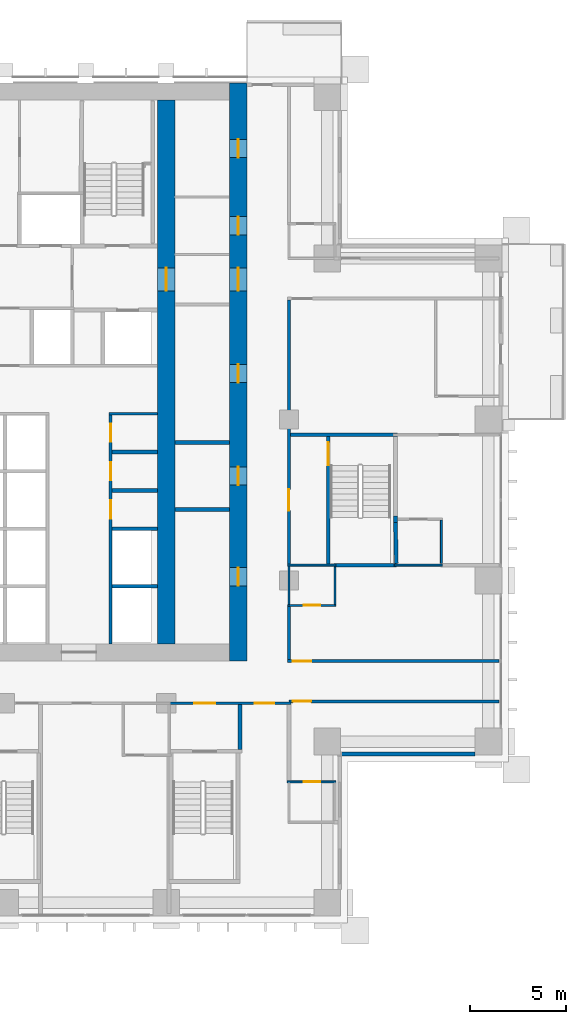
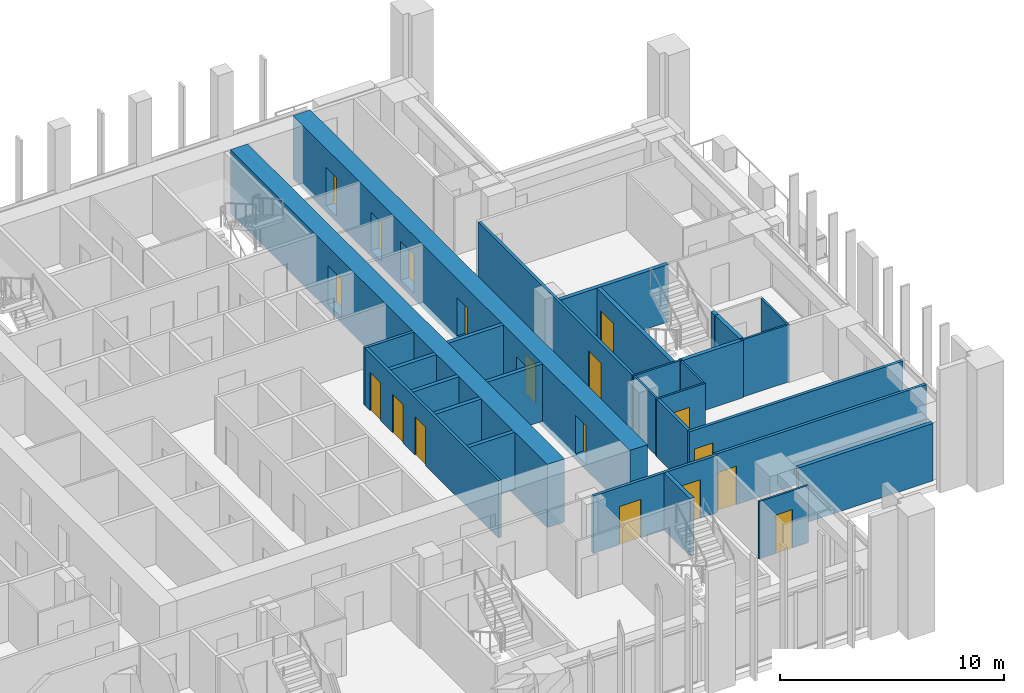
# One storey, part 9 of 17: 29 walls, 18 doors, 18 openings.
"""IFC4 building model written with IfcOpenShell, lengths in metres."""

from ifc_helpers import new_model, si_unit, direction, frame, frame_2d, origin, place, context, subcontext, project, spatial, rectangle, extrude, material, layer, layer_set, type_object, element, fill, save


model = new_model("IFC4")

# Units and contexts
model_context = context("Model", 3, precision=1e-05, world=origin(), true_north=direction((0.0, 1.0)))
body_context = subcontext(model_context, "Body", "Model", "MODEL_VIEW")
ifc_project = project(units=[si_unit("LENGTHUNIT", "METRE"), si_unit("AREAUNIT", "SQUARE_METRE"), si_unit("VOLUMEUNIT", "CUBIC_METRE"), si_unit("PLANEANGLEUNIT", "RADIAN"), si_unit("MASSUNIT", "GRAM", prefix="KILO")], contexts=[model_context])

# Site, building, storey
site_placement = place(None, origin())
site = spatial("IfcSite", under=ifc_project, at=site_placement, CompositionType="ELEMENT")
building_placement = place(site_placement, origin())
building = spatial("IfcBuilding", under=site, at=building_placement, Name="Vermilion Ogive Tower", CompositionType="ELEMENT")
storey_placement = place(building_placement, frame((0.0, 0.0, 69.0)))
storey = spatial("IfcBuildingStorey", under=building, at=storey_placement, Name="L16", CompositionType="ELEMENT", Elevation=69.0)

# Wall, openings, doors
ifc_material_1 = material(Name="Concrete B80", Category="concrete")
ifc_layer_1 = layer(ifc_material_1, 0.89990234375)
ifc_layer_set_1 = layer_set([ifc_layer_1], Name="Core wall 900 B80")
wall_type_1 = type_object("IfcWallType", Name="Core wall 900 B80", PredefinedType="SHEAR", material=ifc_layer_set_1)
wall_1_placement = place(storey_placement, frame((12.14990234375, -8.39990234375, -0.320068359375), z_axis=(0.0, 0.0, 1.0), x_axis=(0.0, 1.0, 0.0)))
wall_1 = element("IfcWall", 1, at=wall_1_placement, inside=storey, type_object=wall_type_1, Name="L16-CORE-E", PredefinedType="SHEAR", context=body_context, shape_type="SweptSolid", body=[
    extrude(rectangle(XDim=30.14990234375, YDim=0.89990234375, at=frame_2d((15.074951171875, 0.0))), origin(), (0.0, 0.0, 1.0), 3.449951171875),
])
opening_1_placement = place(wall_1_placement, frame((3.925048828125, 0.0, 0.320068359375)))
opening_1 = element("IfcOpeningElement", 2, at=opening_1_placement, cuts=wall_1, Name="Opening DAC029", PredefinedType="OPENING", context=body_context, shape_type="SweptSolid", body=[
    extrude(rectangle(XDim=0.949951171875, YDim=2.10009765625, at=frame_2d((0.47509765625, 1.050048828125))), frame((0.0, 0.4599609375, 0.0), z_axis=(0.0, -1.0, 0.0), x_axis=(1.0, 0.0, 0.0)), (0.0, 0.0, 1.0), 0.919921875),
])
opening_2_placement = place(wall_1_placement, frame((9.175048828125, 0.0, 0.320068359375)))
opening_2 = element("IfcOpeningElement", 3, at=opening_2_placement, cuts=wall_1, Name="Opening DAC030", PredefinedType="OPENING", context=body_context, shape_type="SweptSolid", body=[
    extrude(rectangle(XDim=0.949951171875, YDim=2.10009765625, at=frame_2d((0.47509765625, 1.050048828125))), frame((0.0, 0.4599609375, 0.0), z_axis=(0.0, -1.0, 0.0), x_axis=(1.0, 0.0, 0.0)), (0.0, 0.0, 1.0), 0.919921875),
])
opening_3_placement = place(wall_1_placement, frame((14.52490234375, 0.0, 0.320068359375)))
opening_3 = element("IfcOpeningElement", 4, at=opening_3_placement, cuts=wall_1, Name="Opening DAC031", PredefinedType="OPENING", context=body_context, shape_type="SweptSolid", body=[
    extrude(rectangle(XDim=0.949951171875, YDim=2.10009765625, at=frame_2d((0.47509765625, 1.050048828125))), frame((0.0, 0.4599609375, 0.0), z_axis=(0.0, -1.0, 0.0), x_axis=(1.0, 0.0, 0.0)), (0.0, 0.0, 1.0), 0.919921875),
])
opening_4_placement = place(wall_1_placement, frame((22.22509765625, 0.0, 0.320068359375)))
opening_4 = element("IfcOpeningElement", 5, at=opening_4_placement, cuts=wall_1, Name="Opening DAC032", PredefinedType="OPENING", context=body_context, shape_type="SweptSolid", body=[
    extrude(rectangle(XDim=0.949951171875, YDim=2.10009765625, at=frame_2d((0.47509765625, 1.050048828125))), frame((0.0, 0.4599609375, 0.0), z_axis=(0.0, -1.0, 0.0), x_axis=(1.0, 0.0, 0.0)), (0.0, 0.0, 1.0), 0.919921875),
])
opening_5_placement = place(wall_1_placement, frame((26.25, 0.0, 0.320068359375)))
opening_5 = element("IfcOpeningElement", 6, at=opening_5_placement, cuts=wall_1, Name="Opening DAC033", PredefinedType="OPENING", context=body_context, shape_type="SweptSolid", body=[
    extrude(rectangle(XDim=0.949951171875, YDim=2.10009765625, at=frame_2d((0.47509765625, 1.050048828125))), frame((0.0, 0.4599609375, 0.0), z_axis=(0.0, -1.0, 0.0), x_axis=(1.0, 0.0, 0.0)), (0.0, 0.0, 1.0), 0.919921875),
])
opening_6_placement = place(wall_1_placement, frame((19.300048828125, 0.0, 0.320068359375)))
opening_6 = element("IfcOpeningElement", 7, at=opening_6_placement, cuts=wall_1, Name="Opening DAL006", PredefinedType="OPENING", context=body_context, shape_type="SweptSolid", body=[
    extrude(rectangle(XDim=1.199951171875, YDim=2.10009765625, at=frame_2d((0.60009765625, 1.050048828125))), frame((0.0, 0.4599609375, 0.0), z_axis=(0.0, -1.0, 0.0), x_axis=(1.0, 0.0, 0.0)), (0.0, 0.0, 1.0), 0.919921875),
])
ifc_material_2 = material(Name="Timber door leaf", Category="wood")
door_type_1 = type_object("IfcDoorType", Name="Link door 1200 x 2100 FD60S", OperationType="SINGLE_SWING_LEFT", PredefinedType="DOOR", material=ifc_material_2)
door_1_placement = place(opening_6_placement, origin())
door_1 = element("IfcDoor", 8, at=door_1_placement, inside=storey, type_object=door_type_1, Name="L16-CKE-XL", OperationType="SINGLE_SWING_LEFT", OverallHeight=2.10009765625, OverallWidth=1.199951171875, PredefinedType="DOOR", context=body_context, shape_type="SweptSolid", body=[
    extrude(rectangle(XDim=1.199951171875, YDim=2.10009765625, at=frame_2d((0.60009765625, 1.050048828125))), frame((0.0, 0.02490234375, 0.0), z_axis=(0.0, -1.0, 0.0), x_axis=(1.0, 0.0, 0.0)), (0.0, 0.0, 1.0), 0.050048828125),
])
fill(opening_6, door_1)
ifc_material_3 = material(Name="Timber door leaf", Category="wood")
door_type_2 = type_object("IfcDoorType", Name="Service door 950 x 2100 FD60", OperationType="SINGLE_SWING_LEFT", PredefinedType="DOOR", material=ifc_material_3)
door_2_placement = place(opening_1_placement, origin())
door_2 = element("IfcDoor", 9, at=door_2_placement, inside=storey, type_object=door_type_2, Name="L16-CKE-XR0", OperationType="SINGLE_SWING_LEFT", OverallHeight=2.10009765625, OverallWidth=0.949951171875, PredefinedType="DOOR", context=body_context, shape_type="SweptSolid", body=[
    extrude(rectangle(XDim=0.949951171875, YDim=2.10009765625, at=frame_2d((0.47509765625, 1.050048828125))), frame((0.0, 0.02490234375, 0.0), z_axis=(0.0, -1.0, 0.0), x_axis=(1.0, 0.0, 0.0)), (0.0, 0.0, 1.0), 0.050048828125),
])
fill(opening_1, door_2)
door_3_placement = place(opening_2_placement, origin())
door_3 = element("IfcDoor", 10, at=door_3_placement, inside=storey, type_object=door_type_2, Name="L16-CKE-XR1", OperationType="SINGLE_SWING_LEFT", OverallHeight=2.10009765625, OverallWidth=0.949951171875, PredefinedType="DOOR", context=body_context, shape_type="SweptSolid", body=[
    extrude(rectangle(XDim=0.949951171875, YDim=2.10009765625, at=frame_2d((0.47509765625, 1.050048828125))), frame((0.0, 0.02490234375, 0.0), z_axis=(0.0, -1.0, 0.0), x_axis=(1.0, 0.0, 0.0)), (0.0, 0.0, 1.0), 0.050048828125),
])
fill(opening_2, door_3)
door_4_placement = place(opening_3_placement, origin())
door_4 = element("IfcDoor", 11, at=door_4_placement, inside=storey, type_object=door_type_2, Name="L16-CKE-XR2", OperationType="SINGLE_SWING_LEFT", OverallHeight=2.10009765625, OverallWidth=0.949951171875, PredefinedType="DOOR", context=body_context, shape_type="SweptSolid", body=[
    extrude(rectangle(XDim=0.949951171875, YDim=2.10009765625, at=frame_2d((0.47509765625, 1.050048828125))), frame((0.0, 0.02490234375, 0.0), z_axis=(0.0, -1.0, 0.0), x_axis=(1.0, 0.0, 0.0)), (0.0, 0.0, 1.0), 0.050048828125),
])
fill(opening_3, door_4)
door_5_placement = place(opening_4_placement, origin())
door_5 = element("IfcDoor", 12, at=door_5_placement, inside=storey, type_object=door_type_2, Name="L16-CKE-XR3", OperationType="SINGLE_SWING_LEFT", OverallHeight=2.10009765625, OverallWidth=0.949951171875, PredefinedType="DOOR", context=body_context, shape_type="SweptSolid", body=[
    extrude(rectangle(XDim=0.949951171875, YDim=2.10009765625, at=frame_2d((0.47509765625, 1.050048828125))), frame((0.0, 0.02490234375, 0.0), z_axis=(0.0, -1.0, 0.0), x_axis=(1.0, 0.0, 0.0)), (0.0, 0.0, 1.0), 0.050048828125),
])
fill(opening_4, door_5)
door_6_placement = place(opening_5_placement, origin())
door_6 = element("IfcDoor", 13, at=door_6_placement, inside=storey, type_object=door_type_2, Name="L16-CKE-XR4", OperationType="SINGLE_SWING_LEFT", OverallHeight=2.10009765625, OverallWidth=0.949951171875, PredefinedType="DOOR", context=body_context, shape_type="SweptSolid", body=[
    extrude(rectangle(XDim=0.949951171875, YDim=2.10009765625, at=frame_2d((0.47509765625, 1.050048828125))), frame((0.0, 0.02490234375, 0.0), z_axis=(0.0, -1.0, 0.0), x_axis=(1.0, 0.0, 0.0)), (0.0, 0.0, 1.0), 0.050048828125),
])
fill(opening_5, door_6)

# Wall, opening, door
wall_2_placement = place(storey_placement, frame((8.39990234375, -7.5, -0.320068359375), z_axis=(0.0, 0.0, 1.0), x_axis=(0.0, 1.0, 0.0)))
wall_2 = element("IfcWall", 14, at=wall_2_placement, inside=storey, type_object=wall_type_1, Name="L16-CORE-WEB2", PredefinedType="SHEAR", context=body_context, shape_type="SweptSolid", body=[
    extrude(rectangle(XDim=28.35009765625, YDim=0.89990234375, at=frame_2d((14.175048828125, 0.0))), origin(), (0.0, 0.0, 1.0), 3.449951171875),
])
opening_7_placement = place(wall_2_placement, frame((18.39990234375, 0.0, 0.320068359375)))
opening_7 = element("IfcOpeningElement", 15, at=opening_7_placement, cuts=wall_2, Name="Opening DAO006", PredefinedType="OPENING", context=body_context, shape_type="SweptSolid", body=[
    extrude(rectangle(XDim=1.199951171875, YDim=2.10009765625, at=frame_2d((0.60009765625, 1.050048828125))), frame((0.0, 0.4599609375, 0.0), z_axis=(0.0, -1.0, 0.0), x_axis=(1.0, 0.0, 0.0)), (0.0, 0.0, 1.0), 0.919921875),
])
door_7_placement = place(opening_7_placement, origin())
door_7 = element("IfcDoor", 16, at=door_7_placement, inside=storey, type_object=door_type_1, Name="L16-CKE-XW", OperationType="SINGLE_SWING_LEFT", OverallHeight=2.10009765625, OverallWidth=1.199951171875, PredefinedType="DOOR", context=body_context, shape_type="SweptSolid", body=[
    extrude(rectangle(XDim=1.199951171875, YDim=2.10009765625, at=frame_2d((0.60009765625, 1.050048828125))), frame((0.0, 0.02490234375, 0.0), z_axis=(0.0, -1.0, 0.0), x_axis=(1.0, 0.0, 0.0)), (0.0, 0.0, 1.0), 0.050048828125),
])
fill(opening_7, door_7)

ifc_material_4 = material(Name="Gypsum board partition on steel studs", Category="steel")
ifc_layer_2 = layer(ifc_material_4, 0.10009765625)
ifc_layer_set_2 = layer_set([ifc_layer_2], Name="Partition 100 bath")
wall_type_2 = type_object("IfcWallType", Name="Partition 100 bath", PredefinedType="PARTITIONING", material=ifc_layer_set_2)
wall_3_placement = place(storey_placement, frame((14.699951171875, -14.699951171875, 0.0), z_axis=(0.0, 0.0, 1.0), x_axis=(1.0, 0.0, 0.0)))
wall_3 = element("IfcWall", 17, at=wall_3_placement, inside=storey, type_object=wall_type_2, Name="L16-W-W007", PredefinedType="PARTITIONING", context=body_context, shape_type="SweptSolid", body=[
    extrude(rectangle(XDim=2.550048828125, YDim=0.10009765625, at=frame_2d((1.27490234375, 0.0))), origin(), (0.0, 0.0, 1.0), 3.1298828125),
])
opening_8_placement = place(wall_3_placement, frame((0.875, 0.0, 0.0)))
opening_8 = element("IfcOpeningElement", 18, at=opening_8_placement, cuts=wall_3, Name="Opening D1G6016", PredefinedType="OPENING", context=body_context, shape_type="SweptSolid", body=[
    extrude(rectangle(XDim=0.85009765625, YDim=2.10009765625, at=frame_2d((0.425048828125, 1.050048828125))), frame((0.0, 0.06005859375, 0.0), z_axis=(0.0, -1.0, 0.0), x_axis=(1.0, 0.0, 0.0)), (0.0, 0.0, 1.0), 0.1201171875),
])
ifc_material_5 = material(Name="Timber door leaf", Category="wood")
door_type_3 = type_object("IfcDoorType", Name="Bath door 850 x 2100 FD30", OperationType="SINGLE_SWING_LEFT", PredefinedType="DOOR", material=ifc_material_5)
door_8_placement = place(opening_8_placement, origin())
door_8 = element("IfcDoor", 19, at=door_8_placement, inside=storey, type_object=door_type_3, Name="L16-D-D016", OperationType="SINGLE_SWING_RIGHT", OverallHeight=2.10009765625, OverallWidth=0.85009765625, PredefinedType="DOOR", context=body_context, shape_type="SweptSolid", body=[
    extrude(rectangle(XDim=0.85009765625, YDim=2.10009765625, at=frame_2d((0.425048828125, 1.050048828125))), frame((0.0, 0.02490234375, 0.0), z_axis=(0.0, -1.0, 0.0), x_axis=(1.0, 0.0, 0.0)), (0.0, 0.0, 1.0), 0.050048828125),
])
fill(opening_8, door_8)

wall_4_placement = place(storey_placement, frame((14.72509765625, -5.5, 0.0), z_axis=(0.0, 0.0, 1.0), x_axis=(1.0, 0.0, 0.0)))
wall_4 = element("IfcWall", 20, at=wall_4_placement, inside=storey, type_object=wall_type_2, Name="L16-W-W024", PredefinedType="PARTITIONING", context=body_context, shape_type="SweptSolid", body=[
    extrude(rectangle(XDim=2.52490234375, YDim=0.10009765625, at=frame_2d((1.262451171875, 0.0))), origin(), (0.0, 0.0, 1.0), 3.1298828125),
])
opening_9_placement = place(wall_4_placement, frame((0.849853515625, 0.0, 0.0)))
opening_9 = element("IfcOpeningElement", 21, at=opening_9_placement, cuts=wall_4, Name="Opening D1G6018", PredefinedType="OPENING", context=body_context, shape_type="SweptSolid", body=[
    extrude(rectangle(XDim=0.85009765625, YDim=2.10009765625, at=frame_2d((0.425048828125, 1.050048828125))), frame((0.0, 0.06005859375, 0.0), z_axis=(0.0, -1.0, 0.0), x_axis=(1.0, 0.0, 0.0)), (0.0, 0.0, 1.0), 0.1201171875),
])
door_9_placement = place(opening_9_placement, origin())
door_9 = element("IfcDoor", 22, at=door_9_placement, inside=storey, type_object=door_type_3, Name="L16-D-D018", OperationType="SINGLE_SWING_LEFT", OverallHeight=2.10009765625, OverallWidth=0.85009765625, PredefinedType="DOOR", context=body_context, shape_type="SweptSolid", body=[
    extrude(rectangle(XDim=0.85009765625, YDim=2.10009765625, at=frame_2d((0.425048828125, 1.050048828125))), frame((0.0, 0.02490234375, 0.0), z_axis=(0.0, -1.0, 0.0), x_axis=(1.0, 0.0, 0.0)), (0.0, 0.0, 1.0), 0.050048828125),
])
fill(opening_9, door_9)

# Walls
wall_5_placement = place(storey_placement, frame((14.72509765625, -3.39990234375, 0.0), z_axis=(0.0, 0.0, 1.0), x_axis=(1.0, 0.0, 0.0)))
element("IfcWall", 23, at=wall_5_placement, inside=storey, type_object=wall_type_2, Name="L16-W-W029", PredefinedType="PARTITIONING", context=body_context, shape_type="SweptSolid", body=[
    extrude(rectangle(XDim=2.52490234375, YDim=0.10009765625, at=frame_2d((1.262451171875, 0.0))), origin(), (0.0, 0.0, 1.0), 3.1298828125),
])
wall_6_placement = place(storey_placement, frame((20.300048828125, -3.39990234375, 0.0), z_axis=(0.0, 0.0, 1.0), x_axis=(1.0, 0.0, 0.0)))
element("IfcWall", 24, at=wall_6_placement, inside=storey, type_object=wall_type_2, Name="L16-W-W031", PredefinedType="PARTITIONING", context=body_context, shape_type="SweptSolid", body=[
    extrude(rectangle(XDim=2.5, YDim=0.10009765625, at=frame_2d((1.25, 0.0))), origin(), (0.0, 0.0, 1.0), 3.1298828125),
])
wall_7_placement = place(storey_placement, frame((14.800048828125, -5.449951171875, 0.0), z_axis=(0.0, 0.0, 1.0), x_axis=(0.0, 1.0, 0.0)))
element("IfcWall", 25, at=wall_7_placement, inside=storey, type_object=wall_type_2, Name="L16-W-W084", PredefinedType="PARTITIONING", context=body_context, shape_type="SweptSolid", body=[
    extrude(rectangle(XDim=2.0, YDim=0.10009765625, at=frame_2d((1.0, 0.0))), origin(), (0.0, 0.0, 1.0), 3.1298828125),
])
wall_8_placement = place(storey_placement, frame((17.199951171875, -5.449951171875, 0.0), z_axis=(0.0, 0.0, 1.0), x_axis=(0.0, 1.0, 0.0)))
element("IfcWall", 26, at=wall_8_placement, inside=storey, type_object=wall_type_2, Name="L16-W-W090", PredefinedType="PARTITIONING", context=body_context, shape_type="SweptSolid", body=[
    extrude(rectangle(XDim=1.949951171875, YDim=0.10009765625, at=frame_2d((0.97509765625, 0.0))), origin(), (0.0, 0.0, 1.0), 3.1298828125),
])
wall_9_placement = place(storey_placement, frame((22.75, -3.300048828125, 0.0), z_axis=(0.0, 0.0, 1.0), x_axis=(0.0, 1.0, 0.0)))
element("IfcWall", 27, at=wall_9_placement, inside=storey, type_object=wall_type_2, Name="L16-W-W095", PredefinedType="PARTITIONING", context=body_context, shape_type="SweptSolid", body=[
    extrude(rectangle(XDim=2.25, YDim=0.10009765625, at=frame_2d((1.125, 0.0))), origin(), (0.0, 0.0, 1.0), 3.1298828125),
])

# Wall, openings, doors
ifc_material_6 = material(Name="Gypsum board partition on steel studs", Category="steel")
ifc_layer_3 = layer(ifc_material_6, 0.14990234375)
ifc_layer_set_3 = layer_set([ifc_layer_3], Name="Partition 150 corridor")
wall_type_3 = type_object("IfcWallType", Name="Partition 150 corridor", PredefinedType="PARTITIONING", material=ifc_layer_set_3)
wall_10_placement = place(storey_placement, frame((8.5, -10.60009765625, 0.0), z_axis=(0.0, 0.0, 1.0), x_axis=(1.0, 0.0, 0.0)))
wall_10 = element("IfcWall", 28, at=wall_10_placement, inside=storey, type_object=wall_type_3, Name="L16-W-W018", PredefinedType="PARTITIONING", context=body_context, shape_type="SweptSolid", body=[
    extrude(rectangle(XDim=6.39990234375, YDim=0.14990234375, at=frame_2d((3.199951171875, 0.0))), origin(), (0.0, 0.0, 1.0), 3.1298828125),
])
opening_10_placement = place(wall_10_placement, frame((1.35009765625, 0.0, 0.0)))
opening_10 = element("IfcOpeningElement", 29, at=opening_10_placement, cuts=wall_10, Name="Opening D1G6029", PredefinedType="OPENING", context=body_context, shape_type="SweptSolid", body=[
    extrude(rectangle(XDim=1.10009765625, YDim=2.10009765625, at=frame_2d((0.550048828125, 1.050048828125))), frame((0.0, 0.0849609375, 0.0), z_axis=(0.0, -1.0, 0.0), x_axis=(1.0, 0.0, 0.0)), (0.0, 0.0, 1.0), 0.169921875),
])
opening_11_placement = place(wall_10_placement, frame((4.52490234375, 0.0, 0.0)))
opening_11 = element("IfcOpeningElement", 30, at=opening_11_placement, cuts=wall_10, Name="Opening D1G6036", PredefinedType="OPENING", context=body_context, shape_type="SweptSolid", body=[
    extrude(rectangle(XDim=1.0, YDim=2.10009765625, at=frame_2d((0.5, 1.050048828125))), frame((0.0, 0.0849609375, 0.0), z_axis=(0.0, -1.0, 0.0), x_axis=(1.0, 0.0, 0.0)), (0.0, 0.0, 1.0), 0.169921875),
])
ifc_material_7 = material(Name="Timber door leaf", Category="wood")
door_type_4 = type_object("IfcDoorType", Name="Stair door 1100 x 2100 FD60S", OperationType="SINGLE_SWING_LEFT", PredefinedType="DOOR", material=ifc_material_7)
door_10_placement = place(opening_10_placement, origin())
door_10 = element("IfcDoor", 31, at=door_10_placement, inside=storey, type_object=door_type_4, Name="L16-D-D029", OperationType="SINGLE_SWING_RIGHT", OverallHeight=2.10009765625, OverallWidth=1.10009765625, PredefinedType="DOOR", context=body_context, shape_type="SweptSolid", body=[
    extrude(rectangle(XDim=1.10009765625, YDim=2.10009765625, at=frame_2d((0.550048828125, 1.050048828125))), frame((0.0, 0.02490234375, 0.0), z_axis=(0.0, -1.0, 0.0), x_axis=(1.0, 0.0, 0.0)), (0.0, 0.0, 1.0), 0.050048828125),
])
fill(opening_10, door_10)
ifc_material_8 = material(Name="Timber door leaf", Category="wood")
door_type_5 = type_object("IfcDoorType", Name="Unit door 1000 x 2100 FD30S", OperationType="SINGLE_SWING_LEFT", PredefinedType="DOOR", material=ifc_material_8)
door_11_placement = place(opening_11_placement, origin())
door_11 = element("IfcDoor", 32, at=door_11_placement, inside=storey, type_object=door_type_5, Name="L16-D-D036", OperationType="SINGLE_SWING_RIGHT", OverallHeight=2.10009765625, OverallWidth=1.0, PredefinedType="DOOR", context=body_context, shape_type="SweptSolid", body=[
    extrude(rectangle(XDim=1.0, YDim=2.10009765625, at=frame_2d((0.5, 1.050048828125))), frame((0.0, 0.02490234375, 0.0), z_axis=(0.0, -1.0, 0.0), x_axis=(1.0, 0.0, 0.0)), (0.0, 0.0, 1.0), 0.050048828125),
])
fill(opening_11, door_11)

# Wall, opening, door
wall_11_placement = place(storey_placement, frame((14.800048828125, -10.5, 0.0), z_axis=(0.0, 0.0, 1.0), x_axis=(1.0, 0.0, 0.0)))
wall_11 = element("IfcWall", 33, at=wall_11_placement, inside=storey, type_object=wall_type_3, Name="L16-W-W020", PredefinedType="PARTITIONING", context=body_context, shape_type="SweptSolid", body=[
    extrude(rectangle(XDim=10.949951171875, YDim=0.14990234375, at=frame_2d((5.47509765625, 0.0))), origin(), (0.0, 0.0, 1.0), 3.1298828125),
])
opening_12_placement = place(wall_11_placement, frame((0.199951171875, 0.0, 0.0)))
opening_12 = element("IfcOpeningElement", 34, at=opening_12_placement, cuts=wall_11, Name="Opening D1G6015", PredefinedType="OPENING", context=body_context, shape_type="SweptSolid", body=[
    extrude(rectangle(XDim=0.949951171875, YDim=2.10009765625, at=frame_2d((0.47509765625, 1.050048828125))), frame((0.0, 0.0849609375, 0.0), z_axis=(0.0, -1.0, 0.0), x_axis=(1.0, 0.0, 0.0)), (0.0, 0.0, 1.0), 0.169921875),
])
ifc_material_9 = material(Name="Timber door leaf", Category="wood")
door_type_6 = type_object("IfcDoorType", Name="Unit door 950 x 2100 FD30S", OperationType="SINGLE_SWING_LEFT", PredefinedType="DOOR", material=ifc_material_9)
door_12_placement = place(opening_12_placement, origin())
door_12 = element("IfcDoor", 35, at=door_12_placement, inside=storey, type_object=door_type_6, Name="L16-D-D015", OperationType="SINGLE_SWING_RIGHT", OverallHeight=2.10009765625, OverallWidth=0.949951171875, PredefinedType="DOOR", context=body_context, shape_type="SweptSolid", body=[
    extrude(rectangle(XDim=0.949951171875, YDim=2.10009765625, at=frame_2d((0.47509765625, 1.050048828125))), frame((0.0, 0.02490234375, 0.0), z_axis=(0.0, -1.0, 0.0), x_axis=(1.0, 0.0, 0.0)), (0.0, 0.0, 1.0), 0.050048828125),
])
fill(opening_12, door_12)

wall_12_placement = place(storey_placement, frame((14.72509765625, -8.39990234375, 0.0), z_axis=(0.0, 0.0, 1.0), x_axis=(1.0, 0.0, 0.0)))
wall_12 = element("IfcWall", 36, at=wall_12_placement, inside=storey, type_object=wall_type_3, Name="L16-W-W022", PredefinedType="PARTITIONING", context=body_context, shape_type="SweptSolid", body=[
    extrude(rectangle(XDim=11.02490234375, YDim=0.14990234375, at=frame_2d((5.512451171875, 0.0))), origin(), (0.0, 0.0, 1.0), 3.1298828125),
])
opening_13_placement = place(wall_12_placement, frame((0.27490234375, 0.0, 0.0)))
opening_13 = element("IfcOpeningElement", 37, at=opening_13_placement, cuts=wall_12, Name="Opening D1G6017", PredefinedType="OPENING", context=body_context, shape_type="SweptSolid", body=[
    extrude(rectangle(XDim=0.949951171875, YDim=2.10009765625, at=frame_2d((0.47509765625, 1.050048828125))), frame((0.0, 0.0849609375, 0.0), z_axis=(0.0, -1.0, 0.0), x_axis=(1.0, 0.0, 0.0)), (0.0, 0.0, 1.0), 0.169921875),
])
door_13_placement = place(opening_13_placement, origin())
door_13 = element("IfcDoor", 38, at=door_13_placement, inside=storey, type_object=door_type_6, Name="L16-D-D017", OperationType="SINGLE_SWING_LEFT", OverallHeight=2.10009765625, OverallWidth=0.949951171875, PredefinedType="DOOR", context=body_context, shape_type="SweptSolid", body=[
    extrude(rectangle(XDim=0.949951171875, YDim=2.10009765625, at=frame_2d((0.47509765625, 1.050048828125))), frame((0.0, 0.02490234375, 0.0), z_axis=(0.0, -1.0, 0.0), x_axis=(1.0, 0.0, 0.0)), (0.0, 0.0, 1.0), 0.050048828125),
])
fill(opening_13, door_13)

# Wall
wall_13_placement = place(storey_placement, frame((14.800048828125, -8.324951171875, 0.0), z_axis=(0.0, 0.0, 1.0), x_axis=(0.0, 1.0, 0.0)))
element("IfcWall", 39, at=wall_13_placement, inside=storey, type_object=wall_type_3, Name="L16-W-W083", PredefinedType="PARTITIONING", context=body_context, shape_type="SweptSolid", body=[
    extrude(rectangle(XDim=2.77490234375, YDim=0.14990234375, at=frame_2d((1.387451171875, 0.0))), origin(), (0.0, 0.0, 1.0), 3.1298828125),
])

# Wall, opening, door
wall_14_placement = place(storey_placement, frame((14.800048828125, -3.35009765625, 0.0), z_axis=(0.0, 0.0, 1.0), x_axis=(0.0, 1.0, 0.0)))
wall_14 = element("IfcWall", 40, at=wall_14_placement, inside=storey, type_object=wall_type_3, Name="L16-W-W085", PredefinedType="PARTITIONING", context=body_context, shape_type="SweptSolid", body=[
    extrude(rectangle(XDim=13.775146484375, YDim=0.14990234375, at=frame_2d((6.8876953125, 0.0))), origin(), (0.0, 0.0, 1.0), 3.1298828125),
])
opening_14_placement = place(wall_14_placement, frame((2.800048828125, 0.0, 0.0)))
opening_14 = element("IfcOpeningElement", 41, at=opening_14_placement, cuts=wall_14, Name="Opening D1G6031", PredefinedType="OPENING", context=body_context, shape_type="SweptSolid", body=[
    extrude(rectangle(XDim=1.10009765625, YDim=2.10009765625, at=frame_2d((0.550048828125, 1.050048828125))), frame((0.0, 0.0849609375, 0.0), z_axis=(0.0, -1.0, 0.0), x_axis=(1.0, 0.0, 0.0)), (0.0, 0.0, 1.0), 0.169921875),
])
door_14_placement = place(opening_14_placement, origin())
door_14 = element("IfcDoor", 42, at=door_14_placement, inside=storey, type_object=door_type_4, Name="L16-D-D031", OperationType="SINGLE_SWING_LEFT", OverallHeight=2.10009765625, OverallWidth=1.10009765625, PredefinedType="DOOR", context=body_context, shape_type="SweptSolid", body=[
    extrude(rectangle(XDim=1.10009765625, YDim=2.10009765625, at=frame_2d((0.550048828125, 1.050048828125))), frame((0.0, 0.02490234375, 0.0), z_axis=(0.0, -1.0, 0.0), x_axis=(1.0, 0.0, 0.0)), (0.0, 0.0, 1.0), 0.050048828125),
])
fill(opening_14, door_14)

# Wall
wall_15_placement = place(storey_placement, frame((5.425048828125, 4.5, 0.0), z_axis=(0.0, 0.0, 1.0), x_axis=(1.0, 0.0, 0.0)))
element("IfcWall", 43, at=wall_15_placement, inside=storey, type_object=wall_type_3, Name="L16-CK-W-W013", PredefinedType="PARTITIONING", context=body_context, shape_type="SweptSolid", body=[
    extrude(rectangle(XDim=2.52392578125, YDim=0.14990234375, at=frame_2d((1.261962890625, 0.0))), origin(), (0.0, 0.0, 1.0), 3.1298828125),
])

# Wall, openings, doors
wall_16_placement = place(storey_placement, frame((5.5, -7.4990234375, 0.0), z_axis=(0.0, 0.0, 1.0), x_axis=(0.0, 1.0, 0.0)))
wall_16 = element("IfcWall", 44, at=wall_16_placement, inside=storey, type_object=wall_type_3, Name="L16-CK-W-W041", PredefinedType="PARTITIONING", context=body_context, shape_type="SweptSolid", body=[
    extrude(rectangle(XDim=11.924072265625, YDim=0.14990234375, at=frame_2d((5.9619140625, 0.0))), origin(), (0.0, 0.0, 1.0), 3.1298828125),
])
opening_15_placement = place(wall_16_placement, frame((6.52392578125, 0.0, 0.0)))
opening_15 = element("IfcOpeningElement", 45, at=opening_15_placement, cuts=wall_16, Name="Opening DAA119", PredefinedType="OPENING", context=body_context, shape_type="SweptSolid", body=[
    extrude(rectangle(XDim=0.949951171875, YDim=2.10009765625, at=frame_2d((0.47509765625, 1.050048828125))), frame((0.0, 0.0849609375, 0.0), z_axis=(0.0, -1.0, 0.0), x_axis=(1.0, 0.0, 0.0)), (0.0, 0.0, 1.0), 0.169921875),
])
opening_16_placement = place(wall_16_placement, frame((8.52392578125, 0.0, 0.0)))
opening_16 = element("IfcOpeningElement", 46, at=opening_16_placement, cuts=wall_16, Name="Opening DAA120", PredefinedType="OPENING", context=body_context, shape_type="SweptSolid", body=[
    extrude(rectangle(XDim=0.949951171875, YDim=2.10009765625, at=frame_2d((0.47509765625, 1.050048828125))), frame((0.0, 0.0849609375, 0.0), z_axis=(0.0, -1.0, 0.0), x_axis=(1.0, 0.0, 0.0)), (0.0, 0.0, 1.0), 0.169921875),
])
opening_17_placement = place(wall_16_placement, frame((10.52392578125, 0.0, 0.0)))
opening_17 = element("IfcOpeningElement", 47, at=opening_17_placement, cuts=wall_16, Name="Opening DAA121", PredefinedType="OPENING", context=body_context, shape_type="SweptSolid", body=[
    extrude(rectangle(XDim=0.949951171875, YDim=2.10009765625, at=frame_2d((0.47509765625, 1.050048828125))), frame((0.0, 0.0849609375, 0.0), z_axis=(0.0, -1.0, 0.0), x_axis=(1.0, 0.0, 0.0)), (0.0, 0.0, 1.0), 0.169921875),
])
door_15_placement = place(opening_15_placement, origin())
door_15 = element("IfcDoor", 48, at=door_15_placement, inside=storey, type_object=door_type_2, Name="L16-CK-D-D009", OperationType="SINGLE_SWING_RIGHT", OverallHeight=2.10009765625, OverallWidth=0.949951171875, PredefinedType="DOOR", context=body_context, shape_type="SweptSolid", body=[
    extrude(rectangle(XDim=0.949951171875, YDim=2.10009765625, at=frame_2d((0.47509765625, 1.050048828125))), frame((0.0, 0.02490234375, 0.0), z_axis=(0.0, -1.0, 0.0), x_axis=(1.0, 0.0, 0.0)), (0.0, 0.0, 1.0), 0.050048828125),
])
fill(opening_15, door_15)
door_16_placement = place(opening_16_placement, origin())
door_16 = element("IfcDoor", 49, at=door_16_placement, inside=storey, type_object=door_type_2, Name="L16-CK-D-D010", OperationType="SINGLE_SWING_LEFT", OverallHeight=2.10009765625, OverallWidth=0.949951171875, PredefinedType="DOOR", context=body_context, shape_type="SweptSolid", body=[
    extrude(rectangle(XDim=0.949951171875, YDim=2.10009765625, at=frame_2d((0.47509765625, 1.050048828125))), frame((0.0, 0.02490234375, 0.0), z_axis=(0.0, -1.0, 0.0), x_axis=(1.0, 0.0, 0.0)), (0.0, 0.0, 1.0), 0.050048828125),
])
fill(opening_16, door_16)
door_17_placement = place(opening_17_placement, origin())
door_17 = element("IfcDoor", 50, at=door_17_placement, inside=storey, type_object=door_type_2, Name="L16-CK-D-D011", OperationType="SINGLE_SWING_RIGHT", OverallHeight=2.10009765625, OverallWidth=0.949951171875, PredefinedType="DOOR", context=body_context, shape_type="SweptSolid", body=[
    extrude(rectangle(XDim=0.949951171875, YDim=2.10009765625, at=frame_2d((0.47509765625, 1.050048828125))), frame((0.0, 0.02490234375, 0.0), z_axis=(0.0, -1.0, 0.0), x_axis=(1.0, 0.0, 0.0)), (0.0, 0.0, 1.0), 0.050048828125),
])
fill(opening_17, door_17)

# Walls
ifc_material_10 = material(Name="Gypsum board partition on steel studs", Category="steel")
ifc_layer_4 = layer(ifc_material_10, 0.199951171875)
ifc_layer_set_4 = layer_set([ifc_layer_4], Name="Partition 200 party")
wall_type_4 = type_object("IfcWallType", Name="Partition 200 party", PredefinedType="PARTITIONING", material=ifc_layer_set_4)
wall_17_placement = place(storey_placement, frame((12.25, -12.998046875, 0.0), z_axis=(0.0, 0.0, 1.0), x_axis=(0.0, 1.0, 0.0)))
element("IfcWall", 51, at=wall_17_placement, inside=storey, type_object=wall_type_4, Name="L16-W-W080", PredefinedType="PARTITIONING", context=body_context, shape_type="SweptSolid", body=[
    extrude(rectangle(XDim=2.322998046875, YDim=0.199951171875, at=frame_2d((1.16162109375, 0.0))), origin(), (0.0, 0.0, 1.0), 3.1298828125),
])
for number, where, z_axis, x_axis, name in (
    (52, (5.574951171875, -4.5, 0.0), (0.0, 0.0, 1.0), (1.0, 0.0, 0.0), "L16-CK-W-W003"),
    (53, (5.574951171875, -1.5, 0.0), (0.0, 0.0, 1.0), (1.0, 0.0, 0.0), "L16-CK-W-W006"),
    (54, (5.574951171875, 0.5, 0.0), (0.0, 0.0, 1.0), (1.0, 0.0, 0.0), "L16-CK-W-W007"),
    (55, (5.574951171875, 2.5, 0.0), (0.0, 0.0, 1.0), (1.0, 0.0, 0.0), "L16-CK-W-W010"),
):
    element("IfcWall", number, at=place(storey_placement, frame(where, z_axis=z_axis, x_axis=x_axis)), inside=storey, type_object=wall_type_4, Name=name, PredefinedType="PARTITIONING", context=body_context, shape_type="SweptSolid", body=[
        extrude(rectangle(XDim=2.3740234375, YDim=0.199951171875, at=frame_2d((1.18701171875, 0.0))), origin(), (0.0, 0.0, 1.0), 3.1298828125),
    ])
for number, where, z_axis, x_axis, name in (
    (56, (8.85107421875, -0.5, 0.0), (0.0, 0.0, 1.0), (1.0, 0.0, 0.0), "L16-CKE-W-W001"),
    (57, (8.85107421875, 3.0, 0.0), (0.0, 0.0, 1.0), (1.0, 0.0, 0.0), "L16-CKE-W-W002"),
):
    element("IfcWall", number, at=place(storey_placement, frame(where, z_axis=z_axis, x_axis=x_axis)), inside=storey, type_object=wall_type_4, Name=name, PredefinedType="PARTITIONING", context=body_context, shape_type="SweptSolid", body=[
        extrude(rectangle(XDim=2.847900390625, YDim=0.199951171875, at=frame_2d((1.423828125, 0.0))), origin(), (0.0, 0.0, 1.0), 3.1298828125),
    ])
ifc_material_11 = material(Name="Concrete B60", Category="concrete")
ifc_layer_5 = layer(ifc_material_11, 0.199951171875)
ifc_layer_set_5 = layer_set([ifc_layer_5], Name="Stair shaft wall 200 Concrete B60")
wall_type_5 = type_object("IfcWallType", Name="Stair shaft wall 200 Concrete B60", PredefinedType="SOLIDWALL", material=ifc_layer_set_5)
wall_18_placement = place(storey_placement, frame((17.14990234375, -3.39990234375, 0.0), z_axis=(0.0, 0.0, 1.0), x_axis=(1.0, 0.0, 0.0)))
element("IfcWall", 58, at=wall_18_placement, inside=storey, type_object=wall_type_5, Name="L16-W-W030", PredefinedType="SOLIDWALL", context=body_context, shape_type="SweptSolid", body=[
    extrude(rectangle(XDim=3.25, YDim=0.199951171875, at=frame_2d((1.625, 0.0))), origin(), (0.0, 0.0, 1.0), 3.1298828125),
])
wall_19_placement = place(storey_placement, frame((14.875, 3.39990234375, 0.0), z_axis=(0.0, 0.0, 1.0), x_axis=(1.0, 0.0, 0.0)))
element("IfcWall", 59, at=wall_19_placement, inside=storey, type_object=wall_type_5, Name="L16-W-W037", PredefinedType="SOLIDWALL", context=body_context, shape_type="SweptSolid", body=[
    extrude(rectangle(XDim=5.574951171875, YDim=0.199951171875, at=frame_2d((2.78759765625, 0.0))), origin(), (0.0, 0.0, 1.0), 3.1298828125),
])

# Wall, opening, door
wall_20_placement = place(storey_placement, frame((16.85009765625, -3.35009765625, 0.0), z_axis=(0.0, 0.0, 1.0), x_axis=(0.0, 1.0, 0.0)))
wall_20 = element("IfcWall", 60, at=wall_20_placement, inside=storey, type_object=wall_type_5, Name="L16-W-W088", PredefinedType="SOLIDWALL", context=body_context, shape_type="SweptSolid", body=[
    extrude(rectangle(XDim=6.650146484375, YDim=0.199951171875, at=frame_2d((3.3251953125, 0.0))), origin(), (0.0, 0.0, 1.0), 3.1298828125),
])
opening_18_placement = place(wall_20_placement, frame((5.14990234375, 0.0, 0.0)))
opening_18 = element("IfcOpeningElement", 61, at=opening_18_placement, cuts=wall_20, Name="Opening D1G6032", PredefinedType="OPENING", context=body_context, shape_type="SweptSolid", body=[
    extrude(rectangle(XDim=1.199951171875, YDim=2.10009765625, at=frame_2d((0.60009765625, 1.050048828125))), frame((0.0, 0.10986328125, 0.0), z_axis=(0.0, -1.0, 0.0), x_axis=(1.0, 0.0, 0.0)), (0.0, 0.0, 1.0), 0.219970703125),
])
ifc_material_12 = material(Name="Timber door leaf", Category="wood")
door_type_7 = type_object("IfcDoorType", Name="Stair door 1200 x 2100 FD60S", OperationType="SINGLE_SWING_LEFT", PredefinedType="DOOR", material=ifc_material_12)
door_18_placement = place(opening_18_placement, origin())
door_18 = element("IfcDoor", 62, at=door_18_placement, inside=storey, type_object=door_type_7, Name="L16-D-D032", OperationType="SINGLE_SWING_LEFT", OverallHeight=2.10009765625, OverallWidth=1.199951171875, PredefinedType="DOOR", context=body_context, shape_type="SweptSolid", body=[
    extrude(rectangle(XDim=1.199951171875, YDim=2.10009765625, at=frame_2d((0.60009765625, 1.050048828125))), frame((0.0, 0.02490234375, 0.0), z_axis=(0.0, -1.0, 0.0), x_axis=(1.0, 0.0, 0.0)), (0.0, 0.0, 1.0), 0.050048828125),
])
fill(opening_18, door_18)

# Walls
wall_21_placement = place(storey_placement, frame((20.400146484375, -3.300048828125, 0.0), z_axis=(0.0, 0.0, 1.0), x_axis=(-0.021771342749, 0.999762976227, 0.0)))
element("IfcWall", 63, at=wall_21_placement, inside=storey, type_object=wall_type_5, Name="L16-W-W092", PredefinedType="SOLIDWALL", context=body_context, shape_type="SweptSolid", body=[
    extrude(rectangle(XDim=2.130615234375, YDim=0.199951171875, at=frame_2d((1.0654296875, 0.0))), origin(), (0.0, 0.0, 1.0), 3.1298828125),
])
wall_22_placement = place(storey_placement, frame((20.35009765625, -1.169921875, 0.0), z_axis=(0.0, 0.0, 1.0), x_axis=(0.0, 1.0, 0.0)))
element("IfcWall", 64, at=wall_22_placement, inside=storey, type_object=wall_type_5, Name="L16-SW-ST8-E1", PredefinedType="SOLIDWALL", context=body_context, shape_type="SweptSolid", body=[
    extrude(rectangle(XDim=0.33984375, YDim=0.199951171875, at=frame_2d((0.169921875, 0.0))), origin(), (0.0, 0.0, 1.0), 3.1298828125),
])
ifc_material_13 = material(Name="Aluminium window wall framing", Category="aluminium")
ifc_layer_6 = layer(ifc_material_13, 0.199951171875)
ifc_layer_set_6 = layer_set([ifc_layer_6], Name="Window wall")
wall_type_6 = type_object("IfcWallType", Name="Window wall", PredefinedType="STANDARD", material=ifc_layer_set_6)
wall_23_placement = place(storey_placement, frame((17.550048828125, -13.25, 0.0), z_axis=(0.0, 0.0, 1.0), x_axis=(1.0, 0.0, 0.0)))
element("IfcWall", 65, at=wall_23_placement, inside=storey, type_object=wall_type_6, Name="Window wall X21", PredefinedType="STANDARD", context=body_context, shape_type="SweptSolid", body=[
    extrude(rectangle(XDim=6.949951171875, YDim=0.199951171875, at=frame_2d((3.47509765625, 0.0))), origin(), (0.0, 0.0, 1.0), 3.1298828125),
])

save(model, "model.ifc")
